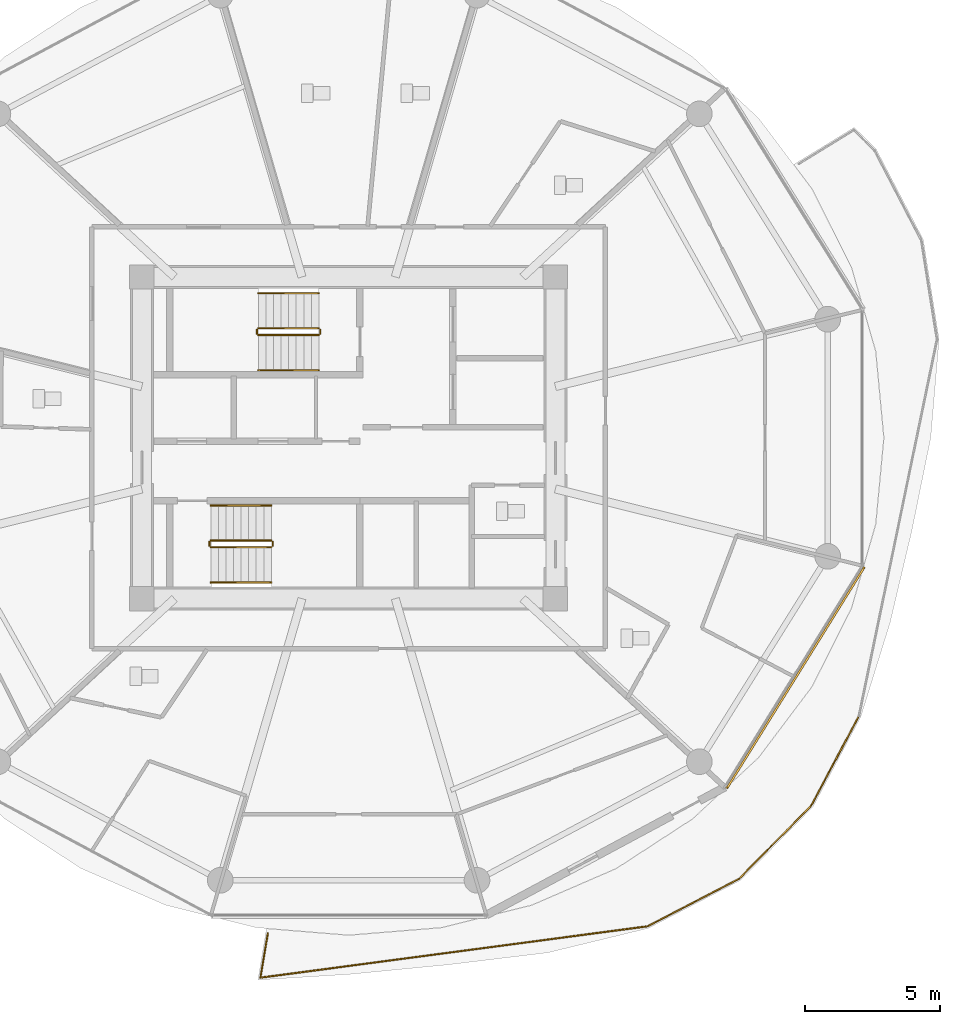
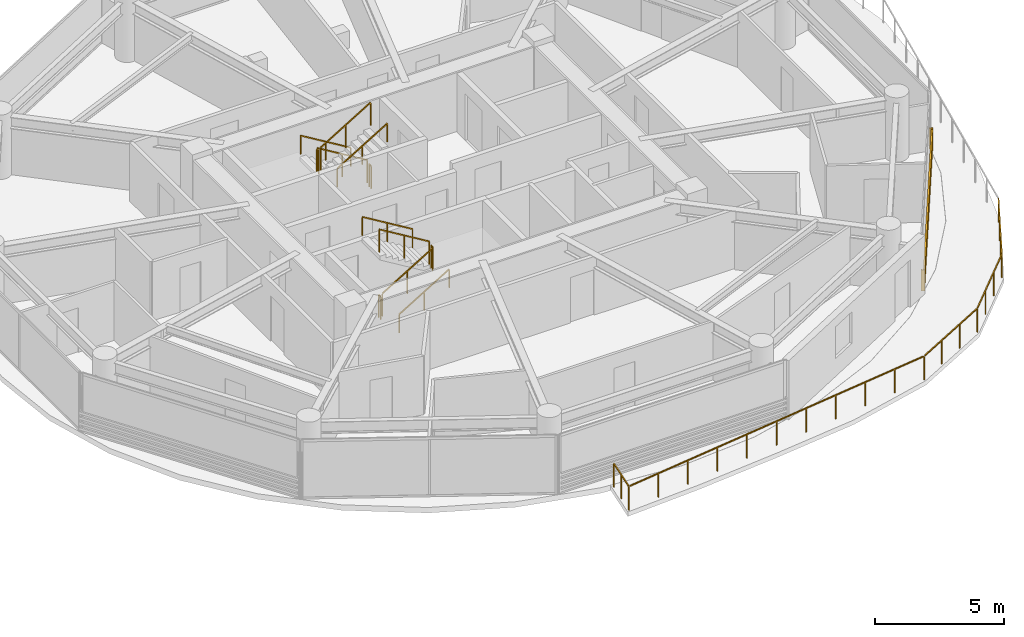
# One storey, part 25 of 27: 13 railings, 1 shading device.
"""IFC4 building model written with IfcOpenShell, lengths in metres."""

from ifc_helpers import new_model, si_unit, direction, frame, origin, origin_2d, place, context, subcontext, project, spatial, rectangle, extrude, source, transform, mapped, material, type_object, type_shapes, element, save


model = new_model("IFC4")

# Units and contexts
model_context = context("Model", 3, precision=1e-05, world=origin(), true_north=direction((0.0, 1.0)))
body_context = subcontext(model_context, "Body", "Model", "MODEL_VIEW")
ifc_project = project(units=[si_unit("LENGTHUNIT", "METRE"), si_unit("AREAUNIT", "SQUARE_METRE"), si_unit("VOLUMEUNIT", "CUBIC_METRE"), si_unit("PLANEANGLEUNIT", "RADIAN"), si_unit("MASSUNIT", "GRAM", prefix="KILO")], contexts=[model_context])

# Site, building, storey
site_placement = place(None, origin())
site = spatial("IfcSite", under=ifc_project, at=site_placement, CompositionType="ELEMENT")
building_placement = place(site_placement, origin())
building = spatial("IfcBuilding", under=site, at=building_placement, Name="Norrkilde Senior Care Towers", CompositionType="ELEMENT")
storey_placement = place(building_placement, frame((0.0, 0.0, 36.85009765625)))
storey = spatial("IfcBuildingStorey", under=building, at=storey_placement, Name="L10", CompositionType="ELEMENT", Elevation=36.85009765625)

# Railings
ifc_material_1 = material(Name="Anodised Aluminium", Category="aluminium")
railing_type_1 = type_object("IfcRailingType", Name="Balcony Swirl Ribbon Guardrail 1150", PredefinedType="GUARDRAIL", material=ifc_material_1)
railing_1_placement = place(storey_placement, frame((46.878173828125, -10.29052734375, 0.0)))
element("IfcRailing", 1, at=railing_1_placement, inside=storey, type_object=railing_type_1, Name="L10 Perimeter Safety Guard 01", PredefinedType="GUARDRAIL", context=body_context, shape_type="SweptSolid", body=[
    extrude(rectangle(XDim=0.048095703125, YDim=0.048095703125, at=origin_2d()), frame((0.0, 0.0, 1.1259765625), z_axis=(-0.468910772824, -0.883245541811, 0.0), x_axis=(0.883245541811, -0.468910772824, 0.0)), (0.0, 0.0, 1.0), 3.707763671875),
    extrude(rectangle(XDim=0.048095703125, YDim=0.048095703125, at=origin_2d()), frame((-1.78662109375, -3.340087890625, 1.1259765625), z_axis=(-0.701719226794, -0.712453596206, 0.0), x_axis=(0.712453596206, -0.701719226794, 0.0)), (0.0, 0.0, 1.0), 3.716552734375),
    extrude(rectangle(XDim=0.048095703125, YDim=0.048095703125, at=origin_2d()), frame((-4.45947265625, -6.035888671875, 1.1259765625), z_axis=(-0.887194867311, -0.461394914816, 0.0), x_axis=(0.461394914816, -0.887194867311, 0.0)), (0.0, 0.0, 1.0), 3.745361328125),
    extrude(rectangle(XDim=0.048095703125, YDim=0.048095703125, at=origin_2d()), frame((-7.859130859375, -7.788330078125, 1.1259765625), z_axis=(-0.991310786278, -0.131540583122, 0.0), x_axis=(0.131540583122, -0.991310786278, 0.0)), (0.0, 0.0, 1.0), 14.3671875),
    extrude(rectangle(XDim=0.048095703125, YDim=0.048095703125, at=origin_2d()), frame((-22.13525390625, -9.643310546875, 1.1259765625), z_axis=(0.165066947081, 0.986282364732, 0.0), x_axis=(-0.986282364732, 0.165066947081, 0.0)), (0.0, 0.0, 1.0), 1.61865234375),
    extrude(rectangle(XDim=0.0419921875, YDim=0.0419921875, at=origin_2d()), origin(), (0.0, 0.0, 1.0), 1.099853515625),
    extrude(rectangle(XDim=0.0419921875, YDim=0.0419921875, at=origin_2d()), frame((-0.5859375, -1.103759765625, 0.0)), (0.0, 0.0, 1.0), 1.099853515625),
    extrude(rectangle(XDim=0.0419921875, YDim=0.0419921875, at=origin_2d()), frame((-1.171875, -2.207275390625, 0.0)), (0.0, 0.0, 1.0), 1.099853515625),
    extrude(rectangle(XDim=0.0419921875, YDim=0.0419921875, at=origin_2d()), frame((-1.7578125, -3.31103515625, 0.0)), (0.0, 0.0, 1.0), 1.099853515625),
    extrude(rectangle(XDim=0.0419921875, YDim=0.0419921875, at=origin_2d()), frame((-2.646240234375, -4.213134765625, 0.0)), (0.0, 0.0, 1.0), 1.099853515625),
    extrude(rectangle(XDim=0.0419921875, YDim=0.0419921875, at=origin_2d()), frame((-3.53466796875, -5.114990234375, 0.0)), (0.0, 0.0, 1.0), 1.099853515625),
    extrude(rectangle(XDim=0.0419921875, YDim=0.0419921875, at=origin_2d()), frame((-4.423095703125, -6.01708984375, 0.0)), (0.0, 0.0, 1.0), 1.099853515625),
    extrude(rectangle(XDim=0.0419921875, YDim=0.0419921875, at=origin_2d()), frame((-5.554931640625, -6.605712890625, 0.0)), (0.0, 0.0, 1.0), 1.099853515625),
    extrude(rectangle(XDim=0.0419921875, YDim=0.0419921875, at=origin_2d()), frame((-6.686767578125, -7.1943359375, 0.0)), (0.0, 0.0, 1.0), 1.099853515625),
    extrude(rectangle(XDim=0.0419921875, YDim=0.0419921875, at=origin_2d()), frame((-7.818603515625, -7.782958984375, 0.0)), (0.0, 0.0, 1.0), 1.099853515625),
    extrude(rectangle(XDim=0.0419921875, YDim=0.0419921875, at=origin_2d()), frame((-9.2509765625, -7.97314453125, 0.0)), (0.0, 0.0, 1.0), 1.099853515625),
    extrude(rectangle(XDim=0.0419921875, YDim=0.0419921875, at=origin_2d()), frame((-10.683349609375, -8.1630859375, 0.0)), (0.0, 0.0, 1.0), 1.099853515625),
    extrude(rectangle(XDim=0.0419921875, YDim=0.0419921875, at=origin_2d()), frame((-12.11572265625, -8.35302734375, 0.0)), (0.0, 0.0, 1.0), 1.099853515625),
    extrude(rectangle(XDim=0.0419921875, YDim=0.0419921875, at=origin_2d()), frame((-13.548095703125, -8.543212890625, 0.0)), (0.0, 0.0, 1.0), 1.099853515625),
    extrude(rectangle(XDim=0.0419921875, YDim=0.0419921875, at=origin_2d()), frame((-14.98046875, -8.7333984375, 0.0)), (0.0, 0.0, 1.0), 1.099853515625),
    extrude(rectangle(XDim=0.0419921875, YDim=0.0419921875, at=origin_2d()), frame((-16.41259765625, -8.92333984375, 0.0)), (0.0, 0.0, 1.0), 1.099853515625),
    extrude(rectangle(XDim=0.0419921875, YDim=0.0419921875, at=origin_2d()), frame((-17.844970703125, -9.11328125, 0.0)), (0.0, 0.0, 1.0), 1.099853515625),
    extrude(rectangle(XDim=0.0419921875, YDim=0.0419921875, at=origin_2d()), frame((-19.27734375, -9.303466796875, 0.0)), (0.0, 0.0, 1.0), 1.099853515625),
    extrude(rectangle(XDim=0.0419921875, YDim=0.0419921875, at=origin_2d()), frame((-20.709716796875, -9.49365234375, 0.0)), (0.0, 0.0, 1.0), 1.099853515625),
    extrude(rectangle(XDim=0.0419921875, YDim=0.0419921875, at=origin_2d()), frame((-22.14208984375, -9.68359375, 0.0)), (0.0, 0.0, 1.0), 1.099853515625),
    extrude(rectangle(XDim=0.0419921875, YDim=0.0419921875, at=origin_2d()), frame((-22.005126953125, -8.865234375, 0.0)), (0.0, 0.0, 1.0), 1.099853515625),
    extrude(rectangle(XDim=0.0419921875, YDim=0.0419921875, at=origin_2d()), frame((-21.8681640625, -8.046875, 0.0)), (0.0, 0.0, 1.0), 1.099853515625),
])
ifc_material_2 = material(Name="Stainless Steel", Category="steel")
railing_type_2 = type_object("IfcRailingType", Name="Stair and Terrace Guardrail 1100", PredefinedType="GUARDRAIL", material=ifc_material_2)
railing_2_placement = place(storey_placement, frame((26.89990234375, 4.050048828125, 0.16943359375)))
element("IfcRailing", 2, at=railing_2_placement, inside=storey, type_object=railing_type_2, Name="L10 ST-E1 stair guard 1", PredefinedType="GUARDRAIL", context=body_context, shape_type="SweptSolid", body=[
    extrude(rectangle(XDim=0.048095703125, YDim=0.048095703125, at=origin_2d()), frame((0.0, 0.0, 1.076171875), z_axis=(-0.855553338991, 0.0, 0.51771467445), x_axis=(0.0, -1.0, 0.0)), (0.0, 0.0, 1.0), 2.6181640625),
    extrude(rectangle(XDim=0.0419921875, YDim=0.0419921875, at=origin_2d()), origin(), (0.0, 0.0, 1.0), 1.050048828125),
    extrude(rectangle(XDim=0.0419921875, YDim=0.0419921875, at=origin_2d()), frame((-1.1201171875, 0.0, 0.677734375)), (0.0, 0.0, 1.0), 1.050048828125),
    extrude(rectangle(XDim=0.0419921875, YDim=0.0419921875, at=origin_2d()), frame((-2.239990234375, 0.0, 1.35546875)), (0.0, 0.0, 1.0), 1.050048828125),
])
railing_3_placement = place(storey_placement, frame((24.610107421875, 4.0, 1.52490234375)))
element("IfcRailing", 3, at=railing_3_placement, inside=storey, type_object=railing_type_2, Name="L10 ST-E1 stair guard 2", PredefinedType="GUARDRAIL", context=body_context, shape_type="SweptSolid", body=[
    extrude(rectangle(XDim=0.048095703125, YDim=0.048095703125, at=origin_2d()), frame((0.0, 0.0, 1.076171875), z_axis=(0.0, -1.0, 0.0), x_axis=(1.0, 0.0, 0.0)), (0.0, 0.0, 1.0), 0.14990234375),
    extrude(rectangle(XDim=0.0419921875, YDim=0.0419921875, at=origin_2d()), origin(), (0.0, 0.0, 1.0), 1.050048828125),
    extrude(rectangle(XDim=0.0419921875, YDim=0.0419921875, at=origin_2d()), frame((0.0, -0.14990234375, 0.0)), (0.0, 0.0, 1.0), 1.050048828125),
])
railing_4_placement = place(storey_placement, frame((24.659912109375, 3.800048828125, 1.6943359375)))
element("IfcRailing", 4, at=railing_4_placement, inside=storey, type_object=railing_type_2, Name="L10 ST-E1 stair guard 3", PredefinedType="GUARDRAIL", context=body_context, shape_type="SweptSolid", body=[
    extrude(rectangle(XDim=0.048095703125, YDim=0.048095703125, at=origin_2d()), frame((0.0, 0.0, 1.076171875), z_axis=(0.855553338991, 0.0, 0.51771467445), x_axis=(0.0, 1.0, 0.0)), (0.0, 0.0, 1.0), 2.6181640625),
    extrude(rectangle(XDim=0.0419921875, YDim=0.0419921875, at=origin_2d()), origin(), (0.0, 0.0, 1.0), 1.050048828125),
    extrude(rectangle(XDim=0.0419921875, YDim=0.0419921875, at=origin_2d()), frame((1.1201171875, 0.0, 0.677734375)), (0.0, 0.0, 1.0), 1.050048828125),
    extrude(rectangle(XDim=0.0419921875, YDim=0.0419921875, at=origin_2d()), frame((2.239990234375, 0.0, 1.35546875)), (0.0, 0.0, 1.0), 1.050048828125),
])
railing_5_placement = place(storey_placement, frame((26.949951171875, 4.0, 0.0)))
element("IfcRailing", 5, at=railing_5_placement, inside=storey, type_object=railing_type_2, Name="L10 ST-E1 stair guard 4", PredefinedType="GUARDRAIL", context=body_context, shape_type="SweptSolid", body=[
    extrude(rectangle(XDim=0.048095703125, YDim=0.048095703125, at=origin_2d()), frame((0.0, 0.0, 1.076171875), z_axis=(0.0, -1.0, 0.0), x_axis=(1.0, 0.0, 0.0)), (0.0, 0.0, 1.0), 0.14990234375),
    extrude(rectangle(XDim=0.0419921875, YDim=0.0419921875, at=origin_2d()), origin(), (0.0, 0.0, 1.0), 1.050048828125),
    extrude(rectangle(XDim=0.0419921875, YDim=0.0419921875, at=origin_2d()), frame((0.0, -0.14990234375, 0.0)), (0.0, 0.0, 1.0), 1.050048828125),
])
railing_6_placement = place(storey_placement, frame((22.89990234375, -4.050048828125, 0.16943359375)))
element("IfcRailing", 6, at=railing_6_placement, inside=storey, type_object=railing_type_2, Name="L10 ST-E2 stair guard 1", PredefinedType="GUARDRAIL", context=body_context, shape_type="SweptSolid", body=[
    extrude(rectangle(XDim=0.048095703125, YDim=0.048095703125, at=origin_2d()), frame((0.0, 0.0, 1.076171875), z_axis=(0.855553338991, 0.0, 0.51771467445), x_axis=(0.0, 1.0, 0.0)), (0.0, 0.0, 1.0), 2.6181640625),
    extrude(rectangle(XDim=0.0419921875, YDim=0.0419921875, at=origin_2d()), origin(), (0.0, 0.0, 1.0), 1.050048828125),
    extrude(rectangle(XDim=0.0419921875, YDim=0.0419921875, at=origin_2d()), frame((1.1201171875, 0.0, 0.677734375)), (0.0, 0.0, 1.0), 1.050048828125),
    extrude(rectangle(XDim=0.0419921875, YDim=0.0419921875, at=origin_2d()), frame((2.239990234375, 0.0, 1.35546875)), (0.0, 0.0, 1.0), 1.050048828125),
])
railing_7_placement = place(storey_placement, frame((25.18994140625, -4.0, 1.52490234375)))
element("IfcRailing", 7, at=railing_7_placement, inside=storey, type_object=railing_type_2, Name="L10 ST-E2 stair guard 2", PredefinedType="GUARDRAIL", context=body_context, shape_type="SweptSolid", body=[
    extrude(rectangle(XDim=0.048095703125, YDim=0.048095703125, at=origin_2d()), frame((0.0, 0.0, 1.076171875), z_axis=(0.0, 1.0, 0.0), x_axis=(-1.0, 0.0, 0.0)), (0.0, 0.0, 1.0), 0.14990234375),
    extrude(rectangle(XDim=0.0419921875, YDim=0.0419921875, at=origin_2d()), origin(), (0.0, 0.0, 1.0), 1.050048828125),
    extrude(rectangle(XDim=0.0419921875, YDim=0.0419921875, at=origin_2d()), frame((0.0, 0.14990234375, 0.0)), (0.0, 0.0, 1.0), 1.050048828125),
])
railing_8_placement = place(storey_placement, frame((25.139892578125, -3.800048828125, 1.6943359375)))
element("IfcRailing", 8, at=railing_8_placement, inside=storey, type_object=railing_type_2, Name="L10 ST-E2 stair guard 3", PredefinedType="GUARDRAIL", context=body_context, shape_type="SweptSolid", body=[
    extrude(rectangle(XDim=0.048095703125, YDim=0.048095703125, at=origin_2d()), frame((0.0, 0.0, 1.076171875), z_axis=(-0.855553338991, 0.0, 0.51771467445), x_axis=(0.0, -1.0, 0.0)), (0.0, 0.0, 1.0), 2.6181640625),
    extrude(rectangle(XDim=0.0419921875, YDim=0.0419921875, at=origin_2d()), origin(), (0.0, 0.0, 1.0), 1.050048828125),
    extrude(rectangle(XDim=0.0419921875, YDim=0.0419921875, at=origin_2d()), frame((-1.1201171875, 0.0, 0.677734375)), (0.0, 0.0, 1.0), 1.050048828125),
    extrude(rectangle(XDim=0.0419921875, YDim=0.0419921875, at=origin_2d()), frame((-2.239990234375, 0.0, 1.35546875)), (0.0, 0.0, 1.0), 1.050048828125),
])
railing_9_placement = place(storey_placement, frame((22.85009765625, -4.0, 0.0)))
element("IfcRailing", 9, at=railing_9_placement, inside=storey, type_object=railing_type_2, Name="L10 ST-E2 stair guard 4", PredefinedType="GUARDRAIL", context=body_context, shape_type="SweptSolid", body=[
    extrude(rectangle(XDim=0.048095703125, YDim=0.048095703125, at=origin_2d()), frame((0.0, 0.0, 1.076171875), z_axis=(0.0, 1.0, 0.0), x_axis=(-1.0, 0.0, 0.0)), (0.0, 0.0, 1.0), 0.14990234375),
    extrude(rectangle(XDim=0.0419921875, YDim=0.0419921875, at=origin_2d()), origin(), (0.0, 0.0, 1.0), 1.050048828125),
    extrude(rectangle(XDim=0.0419921875, YDim=0.0419921875, at=origin_2d()), frame((0.0, 0.14990234375, 0.0)), (0.0, 0.0, 1.0), 1.050048828125),
])
ifc_material_3 = material(Name="Nordic Ash Timber", Category="wood")
railing_type_3 = type_object("IfcRailingType", Name="Wall and Stair Handrail 900", PredefinedType="HANDRAIL", material=ifc_material_3)
railing_10_placement = place(storey_placement, frame((26.89990234375, 5.35009765625, 0.16943359375)))
element("IfcRailing", 10, at=railing_10_placement, inside=storey, type_object=railing_type_3, Name="L10 ST-E1 stair handrail 1", PredefinedType="HANDRAIL", context=body_context, shape_type="SweptSolid", body=[
    extrude(rectangle(XDim=0.048095703125, YDim=0.048095703125, at=origin_2d()), frame((0.0, 0.0, 0.8759765625), z_axis=(-0.855553338991, 0.0, 0.51771467445), x_axis=(0.0, -1.0, 0.0)), (0.0, 0.0, 1.0), 2.6181640625),
    extrude(rectangle(XDim=0.0419921875, YDim=0.0419921875, at=origin_2d()), origin(), (0.0, 0.0, 1.0), 0.849853515625),
    extrude(rectangle(XDim=0.0419921875, YDim=0.0419921875, at=origin_2d()), frame((-1.1201171875, 0.0, 0.677734375)), (0.0, 0.0, 1.0), 0.849853515625),
    extrude(rectangle(XDim=0.0419921875, YDim=0.0419921875, at=origin_2d()), frame((-2.239990234375, 0.0, 1.35546875)), (0.0, 0.0, 1.0), 0.849853515625),
])
for number, where, name in (
    (11, (24.659912109375, 2.5, 1.6943359375), "L10 ST-E1 stair handrail 2"),
    (12, (22.89990234375, -5.35009765625, 0.16943359375), "L10 ST-E2 stair handrail 1"),
):
    element("IfcRailing", number, at=place(storey_placement, frame(where)), inside=storey, type_object=railing_type_3, Name=name, PredefinedType="HANDRAIL", context=body_context, shape_type="SweptSolid", body=[
        extrude(rectangle(XDim=0.048095703125, YDim=0.048095703125, at=origin_2d()), frame((0.0, 0.0, 0.8759765625), z_axis=(0.855553338991, 0.0, 0.51771467445), x_axis=(0.0, 1.0, 0.0)), (0.0, 0.0, 1.0), 2.6181640625),
        extrude(rectangle(XDim=0.0419921875, YDim=0.0419921875, at=origin_2d()), origin(), (0.0, 0.0, 1.0), 0.849853515625),
        extrude(rectangle(XDim=0.0419921875, YDim=0.0419921875, at=origin_2d()), frame((1.1201171875, 0.0, 0.677734375)), (0.0, 0.0, 1.0), 0.849853515625),
        extrude(rectangle(XDim=0.0419921875, YDim=0.0419921875, at=origin_2d()), frame((2.239990234375, 0.0, 1.35546875)), (0.0, 0.0, 1.0), 0.849853515625),
    ])
railing_11_placement = place(storey_placement, frame((25.139892578125, -2.5, 1.6943359375)))
element("IfcRailing", 13, at=railing_11_placement, inside=storey, type_object=railing_type_3, Name="L10 ST-E2 stair handrail 2", PredefinedType="HANDRAIL", context=body_context, shape_type="SweptSolid", body=[
    extrude(rectangle(XDim=0.048095703125, YDim=0.048095703125, at=origin_2d()), frame((0.0, 0.0, 0.8759765625), z_axis=(-0.855553338991, 0.0, 0.51771467445), x_axis=(0.0, -1.0, 0.0)), (0.0, 0.0, 1.0), 2.6181640625),
    extrude(rectangle(XDim=0.0419921875, YDim=0.0419921875, at=origin_2d()), origin(), (0.0, 0.0, 1.0), 0.849853515625),
    extrude(rectangle(XDim=0.0419921875, YDim=0.0419921875, at=origin_2d()), frame((-1.1201171875, 0.0, 0.677734375)), (0.0, 0.0, 1.0), 0.849853515625),
    extrude(rectangle(XDim=0.0419921875, YDim=0.0419921875, at=origin_2d()), frame((-2.239990234375, 0.0, 1.35546875)), (0.0, 0.0, 1.0), 0.849853515625),
])

# Shading device
ifc_material_4 = material(Name="Architectural Terracotta", Category="masonry")
shading_device_type = type_object("IfcShadingDeviceType", Name="Horizontal Terracotta Baguette Rack", PredefinedType="USERDEFINED", material=ifc_material_4)
shared_shape = source(origin(), body_context, "Body", "SweptSolid", [
    extrude(rectangle(XDim=0.070068359375, YDim=0.110107421875, at=origin_2d()), frame((0.0, 0.090087890625, 0.125), z_axis=(1.0, 0.0, 0.0), x_axis=(0.0, 1.0, 0.0)), (0.0, 0.0, 1.0), 9.64892578125),
    extrude(rectangle(XDim=0.070068359375, YDim=0.110107421875, at=origin_2d()), frame((0.0, 0.090087890625, 0.375), z_axis=(1.0, 0.0, 0.0), x_axis=(0.0, 1.0, 0.0)), (0.0, 0.0, 1.0), 9.64892578125),
    extrude(rectangle(XDim=0.070068359375, YDim=0.110107421875, at=origin_2d()), frame((0.0, 0.090087890625, 0.625), z_axis=(1.0, 0.0, 0.0), x_axis=(0.0, 1.0, 0.0)), (0.0, 0.0, 1.0), 9.64892578125),
    extrude(rectangle(XDim=0.070068359375, YDim=0.110107421875, at=origin_2d()), frame((0.0, 0.090087890625, 0.875), z_axis=(1.0, 0.0, 0.0), x_axis=(0.0, 1.0, 0.0)), (0.0, 0.0, 1.0), 9.64892578125),
    extrude(rectangle(XDim=0.050048828125, YDim=0.1552734375, at=origin_2d()), frame((0.02490234375, 0.047607421875, 0.0)), (0.0, 0.0, 1.0), 1.0),
    extrude(rectangle(XDim=0.050048828125, YDim=0.1552734375, at=origin_2d()), frame((9.6240234375, 0.047607421875, 0.0)), (0.0, 0.0, 1.0), 1.0),
])
type_shapes(shading_device_type, [shared_shape])
shading_device_placement = place(storey_placement, frame((47.009521484375, -4.731201171875, 0.079833984375), z_axis=(0.0, 0.0, 1.0), x_axis=(-0.527908506655, -0.849299124538, 0.0)))
element("IfcShadingDevice", 14, at=shading_device_placement, inside=storey, type_object=shading_device_type, Name="L10 Drum E Terracotta Baguette Screen 10", ObjectType="BAGUETTE", PredefinedType="USERDEFINED", context=body_context, shape_type="MappedRepresentation", body=[
    mapped(shared_shape, transform((0.0, 0.0, 0.0), x_axis=(1.0, 0.0, 0.0), y_axis=(0.0, 1.0, 0.0), z_axis=(0.0, 0.0, 1.0), scale=1.0)),
])

save(model, "model.ifc")
